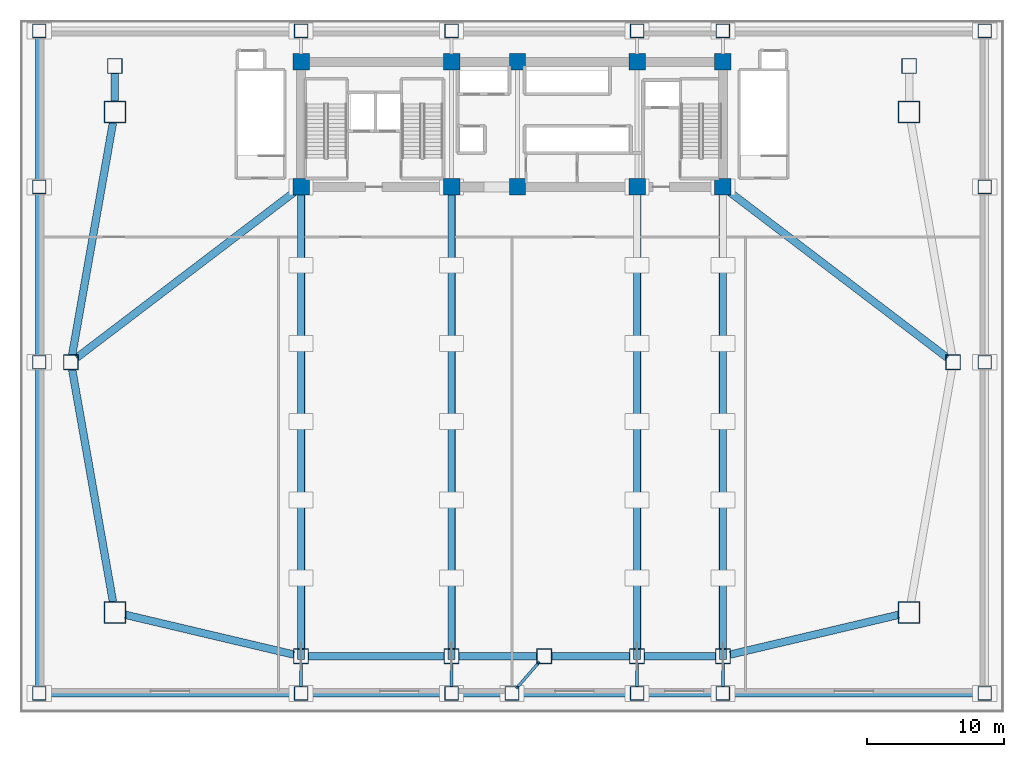
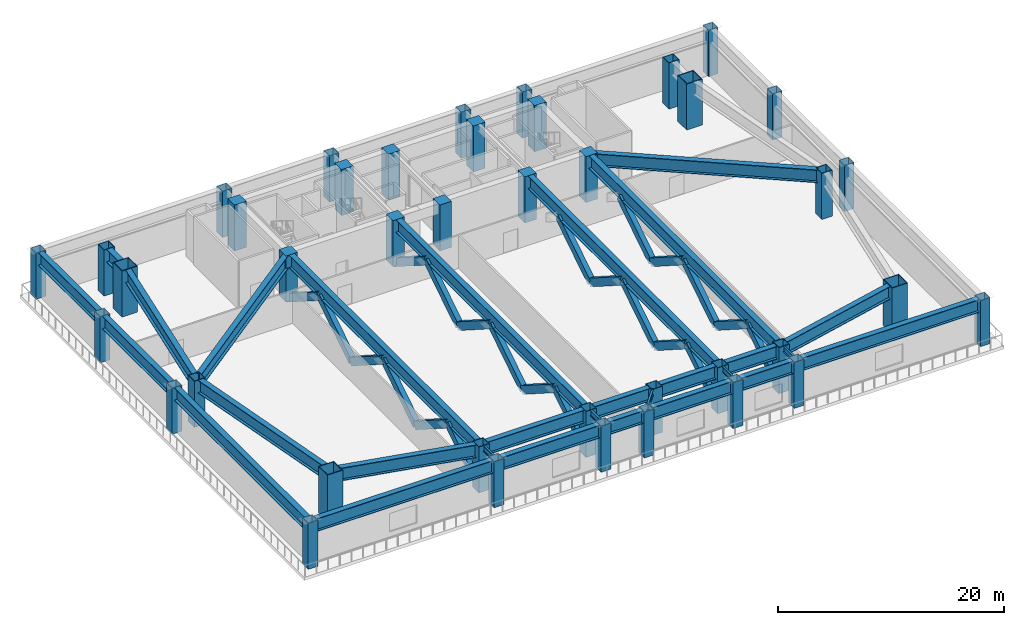
# One storey, part 1 of 8: 40 columns, 29 beams, 22 members.
"""IFC4 building model written with IfcOpenShell, lengths in metres."""

from ifc_helpers import new_model, si_unit, direction, frame, origin, origin_2d, place, context, subcontext, project, spatial, rectangle, hollow_rectangle, i_section, extrude, source, transform, mapped, material, material_profile, profile_set, type_object, element, save


model = new_model("IFC4")

# Units and contexts
model_context = context("Model", 3, precision=1e-05, world=origin(), true_north=direction((0.0, 1.0)))
body_context = subcontext(model_context, "Body", "Model", "MODEL_VIEW")
ifc_project = project(units=[si_unit("LENGTHUNIT", "METRE"), si_unit("AREAUNIT", "SQUARE_METRE"), si_unit("VOLUMEUNIT", "CUBIC_METRE"), si_unit("PLANEANGLEUNIT", "RADIAN"), si_unit("MASSUNIT", "GRAM", prefix="KILO")], contexts=[model_context])

# Site, building, storey
site_placement = place(None, origin())
site = spatial("IfcSite", under=ifc_project, at=site_placement, CompositionType="ELEMENT")
building_placement = place(site_placement, origin())
building = spatial("IfcBuilding", under=site, at=building_placement, Name="Giltprow Tower", CompositionType="ELEMENT")
storey_placement = place(building_placement, frame((0.0, 0.0, 20.199951171875)))
storey = spatial("IfcBuildingStorey", under=building, at=storey_placement, Name="L05", CompositionType="ELEMENT", Elevation=20.199951171875)

# Columns
ifc_material_1 = material(Name="Concrete C60", Category="concrete")
ifc_material_profile_1 = material_profile(ifc_material_1, rectangle(XDim=1.199951171875, YDim=1.199951171875, at=origin_2d()), Name="RC 1200x1200")
ifc_profile_set_1 = profile_set([ifc_material_profile_1], Name="Concrete C60")
column_type_1 = type_object("IfcColumnType", Name="PIL-RC-1200-C60", PredefinedType="PILASTER", material=ifc_profile_set_1)
shared_shape_1 = source(origin(), body_context, "Body", "SweptSolid", [
    extrude(rectangle(XDim=1.199951171875, YDim=1.199951171875, at=origin_2d()), origin(), (0.0, 0.0, 1.0), 4.97998046875),
])
for number, where, z_axis, x_axis, name in (
    (1, (19.85009765625, 37.449951171875, 0.0), (0.0, 0.0, 1.0), (1.0, 0.0, 0.0), "L05 Core Boundary Pilaster 1-1"),
    (2, (19.85009765625, 46.550048828125, 0.0), (0.0, 0.0, 1.0), (1.0, 0.0, 0.0), "L05 Core Boundary Pilaster 1-2"),
    (3, (30.800048828125, 37.449951171875, 0.0), (0.0, 0.0, 1.0), (1.0, 0.0, 0.0), "L05 Core Boundary Pilaster 2-1"),
    (4, (30.800048828125, 46.550048828125, 0.0), (0.0, 0.0, 1.0), (1.0, 0.0, 0.0), "L05 Core Boundary Pilaster 2-2"),
    (5, (35.60009765625, 37.449951171875, 0.0), (0.0, 0.0, 1.0), (1.0, 0.0, 0.0), "L05 Core Boundary Pilaster 3-1"),
    (6, (35.60009765625, 46.550048828125, 0.0), (0.0, 0.0, 1.0), (1.0, 0.0, 0.0), "L05 Core Boundary Pilaster 3-2"),
    (7, (44.300048828125, 37.449951171875, 0.0), (0.0, 0.0, 1.0), (1.0, 0.0, 0.0), "L05 Core Boundary Pilaster 4-1"),
    (8, (44.300048828125, 46.550048828125, 0.0), (0.0, 0.0, 1.0), (1.0, 0.0, 0.0), "L05 Core Boundary Pilaster 4-2"),
    (9, (50.550048828125, 37.449951171875, 0.0), (0.0, 0.0, 1.0), (1.0, 0.0, 0.0), "L05 Core Boundary Pilaster 5-1"),
    (10, (50.550048828125, 46.550048828125, 0.0), (0.0, 0.0, 1.0), (1.0, 0.0, 0.0), "L05 Core Boundary Pilaster 5-2"),
):
    element("IfcColumn", number, at=place(storey_placement, frame(where, z_axis=z_axis, x_axis=x_axis)), inside=storey, type_object=column_type_1, Name=name, PredefinedType="PILASTER", context=body_context, shape_type="MappedRepresentation", body=[
        mapped(shared_shape_1, transform((0.0, 0.0, 0.0), x_axis=(1.0, 0.0, 0.0), y_axis=(0.0, 1.0, 0.0), z_axis=(0.0, 0.0, 1.0), scale=1.0)),
    ])
ifc_material_2 = material(Name="Structural steel Q420GJC", Category="steel")
ifc_material_profile_2 = material_profile(ifc_material_2, hollow_rectangle(XDim=1.60009765625, YDim=1.60009765625, WallThickness=0.074951171875, at=origin_2d()), Name="BOX 1600x1600x75")
ifc_profile_set_2 = profile_set([ifc_material_profile_2], Name="Structural steel Q420GJC")
column_type_2 = type_object("IfcColumnType", Name="COL-BOX-1600x1600x75", PredefinedType="COLUMN", material=ifc_profile_set_2)
shared_shape_2 = source(origin(), body_context, "Body", "SweptSolid", [
    extrude(hollow_rectangle(XDim=1.60009765625, YDim=1.60009765625, WallThickness=0.074951171875, at=origin_2d()), origin(), (0.0, 0.0, 1.0), 4.97998046875),
])
for number, where, z_axis, x_axis, name in (
    (11, (6.300048828125, 6.5, 0.0), (0.0, 0.0, 1.0), (1.0, 0.0, 0.0), "L05 Continuous Tower Column MC_SW"),
    (12, (64.10009765625, 6.5, 0.0), (0.0, 0.0, 1.0), (1.0, 0.0, 0.0), "L05 Continuous Tower Column MC_SE"),
    (13, (6.300048828125, 42.89990234375, 0.0), (0.0, 0.0, 1.0), (1.0, 0.0, 0.0), "L05 Continuous Tower Column MC_NW"),
    (14, (64.10009765625, 42.89990234375, 0.0), (0.0, 0.0, 1.0), (1.0, 0.0, 0.0), "L05 Continuous Tower Column MC_NE"),
):
    element("IfcColumn", number, at=place(storey_placement, frame(where, z_axis=z_axis, x_axis=x_axis)), inside=storey, type_object=column_type_2, Name=name, PredefinedType="COLUMN", context=body_context, shape_type="MappedRepresentation", body=[
        mapped(shared_shape_2, transform((0.0, 0.0, 0.0), x_axis=(1.0, 0.0, 0.0), y_axis=(0.0, 1.0, 0.0), z_axis=(0.0, 0.0, 1.0), scale=1.0)),
    ])
ifc_material_profile_3 = material_profile(ifc_material_2, hollow_rectangle(XDim=1.10009765625, YDim=1.10009765625, WallThickness=0.050048828125, at=origin_2d()), Name="BOX 1100x1100x50")
ifc_profile_set_3 = profile_set([ifc_material_profile_3], Name="Structural steel Q420GJC")
column_type_3 = type_object("IfcColumnType", Name="COL-BOX-1100x1100x50", PredefinedType="COLUMN", material=ifc_profile_set_3)
shared_shape_3 = source(origin(), body_context, "Body", "SweptSolid", [
    extrude(hollow_rectangle(XDim=1.10009765625, YDim=1.10009765625, WallThickness=0.050048828125, at=origin_2d()), origin(), (0.0, 0.0, 1.0), 4.97998046875),
])
for number, where, z_axis, x_axis, name in (
    (15, (19.85009765625, 3.300048828125, 0.0), (0.0, 0.0, 1.0), (1.0, 0.0, 0.0), "L05 Continuous Tower Column S1"),
    (16, (30.800048828125, 3.300048828125, 0.0), (0.0, 0.0, 1.0), (1.0, 0.0, 0.0), "L05 Continuous Tower Column S2"),
    (17, (37.550048828125, 3.300048828125, 0.0), (0.0, 0.0, 1.0), (1.0, 0.0, 0.0), "L05 Continuous Tower Column S_MID"),
    (18, (44.300048828125, 3.300048828125, 0.0), (0.0, 0.0, 1.0), (1.0, 0.0, 0.0), "L05 Continuous Tower Column S3"),
    (19, (50.550048828125, 3.300048828125, 0.0), (0.0, 0.0, 1.0), (1.0, 0.0, 0.0), "L05 Continuous Tower Column S4"),
    (20, (3.10009765625, 24.699951171875, 0.0), (0.0, 0.0, 1.0), (1.0, 0.0, 0.0), "L05 Continuous Tower Column W_MID"),
    (21, (67.300048828125, 24.699951171875, 0.0), (0.0, 0.0, 1.0), (1.0, 0.0, 0.0), "L05 Continuous Tower Column E_MID"),
    (22, (6.300048828125, 46.25, 0.0), (0.0, 0.0, 1.0), (1.0, 0.0, 0.0), "L05 Continuous Tower Column N_W"),
    (23, (64.10009765625, 46.25, 0.0), (0.0, 0.0, 1.0), (1.0, 0.0, 0.0), "L05 Continuous Tower Column N_E"),
):
    element("IfcColumn", number, at=place(storey_placement, frame(where, z_axis=z_axis, x_axis=x_axis)), inside=storey, type_object=column_type_3, Name=name, PredefinedType="COLUMN", context=body_context, shape_type="MappedRepresentation", body=[
        mapped(shared_shape_3, transform((0.0, 0.0, 0.0), x_axis=(1.0, 0.0, 0.0), y_axis=(0.0, 1.0, 0.0), z_axis=(0.0, 0.0, 1.0), scale=1.0)),
    ])
ifc_material_profile_4 = material_profile(ifc_material_2, hollow_rectangle(XDim=1.0, YDim=1.0, WallThickness=0.044921875, at=origin_2d()), Name="BOX 1000x1000x45")
ifc_profile_set_4 = profile_set([ifc_material_profile_4], Name="Structural steel Q420GJC")
column_type_4 = type_object("IfcColumnType", Name="COL-BOX-1000x1000x45", PredefinedType="COLUMN", material=ifc_profile_set_4)
shared_shape_4 = source(origin(), body_context, "Body", "SweptSolid", [
    extrude(hollow_rectangle(XDim=1.0, YDim=1.0, WallThickness=0.044921875, at=origin_2d()), origin(), (0.0, 0.0, 1.0), 4.97998046875),
])
for number, where, z_axis, x_axis, name in (
    (24, (0.800048828125, 0.60009765625, 0.0), (0.0, 0.0, 1.0), (1.0, 0.0, 0.0), "L05 Podium Column (0.8,0.6)"),
    (25, (19.85009765625, 0.60009765625, 0.0), (0.0, 0.0, 1.0), (1.0, 0.0, 0.0), "L05 Podium Column (19.9,0.6)"),
    (26, (30.800048828125, 0.60009765625, 0.0), (0.0, 0.0, 1.0), (1.0, 0.0, 0.0), "L05 Podium Column (30.8,0.6)"),
    (27, (35.199951171875, 0.60009765625, 0.0), (0.0, 0.0, 1.0), (1.0, 0.0, 0.0), "L05 Podium Column (35.2,0.6)"),
    (28, (44.300048828125, 0.60009765625, 0.0), (0.0, 0.0, 1.0), (1.0, 0.0, 0.0), "L05 Podium Column (44.3,0.6)"),
    (29, (50.550048828125, 0.60009765625, 0.0), (0.0, 0.0, 1.0), (1.0, 0.0, 0.0), "L05 Podium Column (50.5,0.6)"),
    (30, (69.60009765625, 0.60009765625, 0.0), (0.0, 0.0, 1.0), (1.0, 0.0, 0.0), "L05 Podium Column (69.6,0.6)"),
    (31, (0.800048828125, 24.699951171875, 0.0), (0.0, 0.0, 1.0), (1.0, 0.0, 0.0), "L05 Podium Column (0.8,24.7)"),
    (32, (69.60009765625, 24.699951171875, 0.0), (0.0, 0.0, 1.0), (1.0, 0.0, 0.0), "L05 Podium Column (69.6,24.7)"),
    (33, (0.800048828125, 37.449951171875, 0.0), (0.0, 0.0, 1.0), (1.0, 0.0, 0.0), "L05 Podium Column (0.8,37.5)"),
    (34, (69.60009765625, 37.449951171875, 0.0), (0.0, 0.0, 1.0), (1.0, 0.0, 0.0), "L05 Podium Column (69.6,37.5)"),
    (35, (0.800048828125, 48.800048828125, 0.0), (0.0, 0.0, 1.0), (1.0, 0.0, 0.0), "L05 Podium Column (0.8,48.8)"),
    (36, (19.85009765625, 48.800048828125, 0.0), (0.0, 0.0, 1.0), (1.0, 0.0, 0.0), "L05 Podium Column (19.9,48.8)"),
    (37, (30.800048828125, 48.800048828125, 0.0), (0.0, 0.0, 1.0), (1.0, 0.0, 0.0), "L05 Podium Column (30.8,48.8)"),
    (38, (44.300048828125, 48.800048828125, 0.0), (0.0, 0.0, 1.0), (1.0, 0.0, 0.0), "L05 Podium Column (44.3,48.8)"),
    (39, (50.550048828125, 48.800048828125, 0.0), (0.0, 0.0, 1.0), (1.0, 0.0, 0.0), "L05 Podium Column (50.5,48.8)"),
    (40, (69.60009765625, 48.800048828125, 0.0), (0.0, 0.0, 1.0), (1.0, 0.0, 0.0), "L05 Podium Column (69.6,48.8)"),
):
    element("IfcColumn", number, at=place(storey_placement, frame(where, z_axis=z_axis, x_axis=x_axis)), inside=storey, type_object=column_type_4, Name=name, PredefinedType="COLUMN", context=body_context, shape_type="MappedRepresentation", body=[
        mapped(shared_shape_4, transform((0.0, 0.0, 0.0), x_axis=(1.0, 0.0, 0.0), y_axis=(0.0, 1.0, 0.0), z_axis=(0.0, 0.0, 1.0), scale=1.0)),
    ])

# Beams
ifc_material_3 = material(Name="Structural steel Q355B", Category="steel")
ifc_material_profile_5 = material_profile(ifc_material_3, i_section(OverallWidth=0.199951171875, OverallDepth=0.60009765625, WebThickness=0.010986328125, FlangeThickness=0.01708984375, at=origin_2d()), Name="HN 600x200x11x17")
ifc_profile_set_5 = profile_set([ifc_material_profile_5], Name="Structural steel Q355B")
beam_type_1 = type_object("IfcBeamType", Name="BM-GIRD-HN600", PredefinedType="BEAM", material=ifc_profile_set_5)
shared_shape_5 = source(origin(), body_context, "Body", "SweptSolid", [
    extrude(i_section(OverallWidth=0.199951171875, OverallDepth=0.60009765625, WebThickness=0.010986328125, FlangeThickness=0.01708984375, at=origin_2d()), origin(), (0.0, 0.0, 1.0), 1.679931640625),
])
for number, where, z_axis, x_axis, name in (
    (41, (19.85009765625, 1.0849609375, 4.679931640625), (0.0, 1.0, 0.0), (-1.0, 0.0, 0.0), "L05 South Perimeter Tie S1"),
    (42, (30.800048828125, 1.0849609375, 4.679931640625), (0.0, 1.0, 0.0), (-1.0, 0.0, 0.0), "L05 South Perimeter Tie S2"),
    (43, (44.300048828125, 1.0849609375, 4.679931640625), (0.0, 1.0, 0.0), (-1.0, 0.0, 0.0), "L05 South Perimeter Tie S3"),
    (44, (50.550048828125, 1.0849609375, 4.679931640625), (0.0, 1.0, 0.0), (-1.0, 0.0, 0.0), "L05 South Perimeter Tie S4"),
):
    element("IfcBeam", number, at=place(storey_placement, frame(where, z_axis=z_axis, x_axis=x_axis)), inside=storey, type_object=beam_type_1, Name=name, PredefinedType="BEAM", context=body_context, shape_type="MappedRepresentation", body=[
        mapped(shared_shape_5, transform((0.0, 0.0, 0.0), x_axis=(1.0, 0.0, 0.0), y_axis=(0.0, 1.0, 0.0), z_axis=(0.0, 0.0, 1.0), scale=1.0)),
    ])
shared_shape_6 = source(origin(), body_context, "Body", "SweptSolid", [
    extrude(i_section(OverallWidth=0.199951171875, OverallDepth=0.60009765625, WebThickness=0.010986328125, FlangeThickness=0.01708984375, at=origin_2d()), origin(), (0.0, 0.0, 1.0), 2.559326171875),
])
beam_1_placement = place(storey_placement, frame((35.51806640625, 0.966064453125, 4.679931640625), z_axis=(0.656780744804, 0.754081595886, 0.0), x_axis=(-0.754081595886, 0.656780744804, 0.0)))
element("IfcBeam", 45, at=beam_1_placement, inside=storey, type_object=beam_type_1, Name="L05 South Mid Tie", PredefinedType="BEAM", context=body_context, shape_type="MappedRepresentation", body=[
    mapped(shared_shape_6, transform((0.0, 0.0, 0.0), x_axis=(1.0, 0.0, 0.0), y_axis=(0.0, 1.0, 0.0), z_axis=(0.0, 0.0, 1.0), scale=1.0)),
])
ifc_material_profile_6 = material_profile(ifc_material_2, i_section(OverallWidth=0.550048828125, OverallDepth=1.39990234375, WebThickness=0.031982421875, FlangeThickness=0.050048828125, at=origin_2d()), Name="WH 1400x550x32x50")
ifc_profile_set_6 = profile_set([ifc_material_profile_6], Name="Structural steel Q420GJC")
beam_type_2 = type_object("IfcBeamType", Name="BM-XFER-WH1400", PredefinedType="BEAM", material=ifc_profile_set_6)
shared_shape_7 = source(origin(), body_context, "Body", "SweptSolid", [
    extrude(i_section(OverallWidth=0.550048828125, OverallDepth=1.39990234375, WebThickness=0.031982421875, FlangeThickness=0.050048828125, at=origin_2d()), origin(), (0.0, 0.0, 1.0), 18.080078125),
])
for number, where, z_axis, x_axis, name in (
    (46, (1.284912109375, 0.60009765625, 4.280029296875), (1.0, 0.0, 0.0), (0.0, 1.0, 0.0), "L05 Podium South Edge Girder"),
    (47, (51.034912109375, 0.60009765625, 4.280029296875), (1.0, 0.0, 0.0), (0.0, 1.0, 0.0), "L05 Podium South Edge Girder"),
):
    element("IfcBeam", number, at=place(storey_placement, frame(where, z_axis=z_axis, x_axis=x_axis)), inside=storey, type_object=beam_type_2, Name=name, PredefinedType="BEAM", context=body_context, shape_type="MappedRepresentation", body=[
        mapped(shared_shape_7, transform((0.0, 0.0, 0.0), x_axis=(1.0, 0.0, 0.0), y_axis=(0.0, 1.0, 0.0), z_axis=(0.0, 0.0, 1.0), scale=1.0)),
    ])
shared_shape_8 = source(origin(), body_context, "Body", "SweptSolid", [
    extrude(i_section(OverallWidth=0.550048828125, OverallDepth=1.39990234375, WebThickness=0.031982421875, FlangeThickness=0.050048828125, at=origin_2d()), origin(), (0.0, 0.0, 1.0), 9.97998046875),
])
beam_2_placement = place(storey_placement, frame((20.3349609375, 0.60009765625, 4.280029296875), z_axis=(1.0, 0.0, 0.0), x_axis=(0.0, 1.0, 0.0)))
element("IfcBeam", 48, at=beam_2_placement, inside=storey, type_object=beam_type_2, Name="L05 Podium South Edge Girder", PredefinedType="BEAM", context=body_context, shape_type="MappedRepresentation", body=[
    mapped(shared_shape_8, transform((0.0, 0.0, 0.0), x_axis=(1.0, 0.0, 0.0), y_axis=(0.0, 1.0, 0.0), z_axis=(0.0, 0.0, 1.0), scale=1.0)),
])
shared_shape_9 = source(origin(), body_context, "Body", "SweptSolid", [
    extrude(i_section(OverallWidth=0.550048828125, OverallDepth=1.39990234375, WebThickness=0.031982421875, FlangeThickness=0.050048828125, at=origin_2d()), origin(), (0.0, 0.0, 1.0), 3.43017578125),
])
beam_3_placement = place(storey_placement, frame((31.284912109375, 0.60009765625, 4.280029296875), z_axis=(1.0, 0.0, 0.0), x_axis=(0.0, 1.0, 0.0)))
element("IfcBeam", 49, at=beam_3_placement, inside=storey, type_object=beam_type_2, Name="L05 Podium South Edge Girder", PredefinedType="BEAM", context=body_context, shape_type="MappedRepresentation", body=[
    mapped(shared_shape_9, transform((0.0, 0.0, 0.0), x_axis=(1.0, 0.0, 0.0), y_axis=(0.0, 1.0, 0.0), z_axis=(0.0, 0.0, 1.0), scale=1.0)),
])
shared_shape_10 = source(origin(), body_context, "Body", "SweptSolid", [
    extrude(i_section(OverallWidth=0.550048828125, OverallDepth=1.39990234375, WebThickness=0.031982421875, FlangeThickness=0.050048828125, at=origin_2d()), origin(), (0.0, 0.0, 1.0), 8.1298828125),
])
beam_4_placement = place(storey_placement, frame((35.68505859375, 0.60009765625, 4.280029296875), z_axis=(1.0, 0.0, 0.0), x_axis=(0.0, 1.0, 0.0)))
element("IfcBeam", 50, at=beam_4_placement, inside=storey, type_object=beam_type_2, Name="L05 Podium South Edge Girder", PredefinedType="BEAM", context=body_context, shape_type="MappedRepresentation", body=[
    mapped(shared_shape_10, transform((0.0, 0.0, 0.0), x_axis=(1.0, 0.0, 0.0), y_axis=(0.0, 1.0, 0.0), z_axis=(0.0, 0.0, 1.0), scale=1.0)),
])
shared_shape_11 = source(origin(), body_context, "Body", "SweptSolid", [
    extrude(i_section(OverallWidth=0.550048828125, OverallDepth=1.39990234375, WebThickness=0.031982421875, FlangeThickness=0.050048828125, at=origin_2d()), origin(), (0.0, 0.0, 1.0), 5.280029296875),
])
beam_5_placement = place(storey_placement, frame((44.784912109375, 0.60009765625, 4.280029296875), z_axis=(1.0, 0.0, 0.0), x_axis=(0.0, 1.0, 0.0)))
element("IfcBeam", 51, at=beam_5_placement, inside=storey, type_object=beam_type_2, Name="L05 Podium South Edge Girder", PredefinedType="BEAM", context=body_context, shape_type="MappedRepresentation", body=[
    mapped(shared_shape_11, transform((0.0, 0.0, 0.0), x_axis=(1.0, 0.0, 0.0), y_axis=(0.0, 1.0, 0.0), z_axis=(0.0, 0.0, 1.0), scale=1.0)),
])
shared_shape_12 = source(origin(), body_context, "Body", "SweptSolid", [
    extrude(i_section(OverallWidth=0.550048828125, OverallDepth=1.39990234375, WebThickness=0.031982421875, FlangeThickness=0.050048828125, at=origin_2d()), origin(), (0.0, 0.0, 1.0), 23.130126953125),
])
beam_6_placement = place(storey_placement, frame((0.800048828125, 1.0849609375, 4.280029296875), z_axis=(0.0, 1.0, 0.0), x_axis=(-1.0, 0.0, 0.0)))
element("IfcBeam", 52, at=beam_6_placement, inside=storey, type_object=beam_type_2, Name="L05 Podium Side Girder", PredefinedType="BEAM", context=body_context, shape_type="MappedRepresentation", body=[
    mapped(shared_shape_12, transform((0.0, 0.0, 0.0), x_axis=(1.0, 0.0, 0.0), y_axis=(0.0, 1.0, 0.0), z_axis=(0.0, 0.0, 1.0), scale=1.0)),
])
shared_shape_13 = source(origin(), body_context, "Body", "SweptSolid", [
    extrude(i_section(OverallWidth=0.550048828125, OverallDepth=1.39990234375, WebThickness=0.031982421875, FlangeThickness=0.050048828125, at=origin_2d()), origin(), (0.0, 0.0, 1.0), 11.780029296875),
])
beam_7_placement = place(storey_placement, frame((0.800048828125, 25.18505859375, 4.280029296875), z_axis=(0.0, 1.0, 0.0), x_axis=(-1.0, 0.0, 0.0)))
element("IfcBeam", 53, at=beam_7_placement, inside=storey, type_object=beam_type_2, Name="L05 Podium Side Girder", PredefinedType="BEAM", context=body_context, shape_type="MappedRepresentation", body=[
    mapped(shared_shape_13, transform((0.0, 0.0, 0.0), x_axis=(1.0, 0.0, 0.0), y_axis=(0.0, 1.0, 0.0), z_axis=(0.0, 0.0, 1.0), scale=1.0)),
])
shared_shape_14 = source(origin(), body_context, "Body", "SweptSolid", [
    extrude(i_section(OverallWidth=0.550048828125, OverallDepth=1.39990234375, WebThickness=0.031982421875, FlangeThickness=0.050048828125, at=origin_2d()), origin(), (0.0, 0.0, 1.0), 10.3798828125),
])
beam_8_placement = place(storey_placement, frame((0.800048828125, 37.93505859375, 4.280029296875), z_axis=(0.0, 1.0, 0.0), x_axis=(-1.0, 0.0, 0.0)))
element("IfcBeam", 54, at=beam_8_placement, inside=storey, type_object=beam_type_2, Name="L05 Podium Side Girder", PredefinedType="BEAM", context=body_context, shape_type="MappedRepresentation", body=[
    mapped(shared_shape_14, transform((0.0, 0.0, 0.0), x_axis=(1.0, 0.0, 0.0), y_axis=(0.0, 1.0, 0.0), z_axis=(0.0, 0.0, 1.0), scale=1.0)),
])
shared_shape_15 = source(origin(), body_context, "Body", "SweptSolid", [
    extrude(i_section(OverallWidth=0.550048828125, OverallDepth=1.39990234375, WebThickness=0.031982421875, FlangeThickness=0.050048828125, at=origin_2d()), origin(), (0.0, 0.0, 1.0), 12.6025390625),
])
beam_9_placement = place(storey_placement, frame((7.06396484375, 6.320068359375, 4.280029296875), z_axis=(0.973221185684, -0.22987066741, 0.0), x_axis=(0.22987066741, 0.973221185684, 0.0)))
element("IfcBeam", 55, at=beam_9_placement, inside=storey, type_object=beam_type_2, Name="L05 Tower Base Ring Girder 1", PredefinedType="BEAM", context=body_context, shape_type="MappedRepresentation", body=[
    mapped(shared_shape_15, transform((0.0, 0.0, 0.0), x_axis=(1.0, 0.0, 0.0), y_axis=(0.0, 1.0, 0.0), z_axis=(0.0, 0.0, 1.0), scale=1.0)),
])
shared_shape_16 = source(origin(), body_context, "Body", "SweptSolid", [
    extrude(i_section(OverallWidth=0.550048828125, OverallDepth=1.39990234375, WebThickness=0.031982421875, FlangeThickness=0.050048828125, at=origin_2d()), origin(), (0.0, 0.0, 1.0), 9.8798828125),
])
beam_10_placement = place(storey_placement, frame((20.385009765625, 3.300048828125, 4.280029296875), z_axis=(1.0, 0.0, 0.0), x_axis=(0.0, 1.0, 0.0)))
element("IfcBeam", 56, at=beam_10_placement, inside=storey, type_object=beam_type_2, Name="L05 Tower Base Ring Girder 2", PredefinedType="BEAM", context=body_context, shape_type="MappedRepresentation", body=[
    mapped(shared_shape_16, transform((0.0, 0.0, 0.0), x_axis=(1.0, 0.0, 0.0), y_axis=(0.0, 1.0, 0.0), z_axis=(0.0, 0.0, 1.0), scale=1.0)),
])
shared_shape_17 = source(origin(), body_context, "Body", "SweptSolid", [
    extrude(i_section(OverallWidth=0.550048828125, OverallDepth=1.39990234375, WebThickness=0.031982421875, FlangeThickness=0.050048828125, at=origin_2d()), origin(), (0.0, 0.0, 1.0), 5.679931640625),
])
for number, where, z_axis, x_axis, name in (
    (57, (31.3349609375, 3.300048828125, 4.280029296875), (1.0, 0.0, 0.0), (0.0, 1.0, 0.0), "L05 Tower Base Ring Girder 3"),
    (58, (38.0849609375, 3.300048828125, 4.280029296875), (1.0, 0.0, 0.0), (0.0, 1.0, 0.0), "L05 Tower Base Ring Girder 4"),
):
    element("IfcBeam", number, at=place(storey_placement, frame(where, z_axis=z_axis, x_axis=x_axis)), inside=storey, type_object=beam_type_2, Name=name, PredefinedType="BEAM", context=body_context, shape_type="MappedRepresentation", body=[
        mapped(shared_shape_17, transform((0.0, 0.0, 0.0), x_axis=(1.0, 0.0, 0.0), y_axis=(0.0, 1.0, 0.0), z_axis=(0.0, 0.0, 1.0), scale=1.0)),
    ])
shared_shape_18 = source(origin(), body_context, "Body", "SweptSolid", [
    extrude(i_section(OverallWidth=0.550048828125, OverallDepth=1.39990234375, WebThickness=0.031982421875, FlangeThickness=0.050048828125, at=origin_2d()), origin(), (0.0, 0.0, 1.0), 5.179931640625),
])
beam_11_placement = place(storey_placement, frame((44.8349609375, 3.300048828125, 4.280029296875), z_axis=(1.0, 0.0, 0.0), x_axis=(0.0, 1.0, 0.0)))
element("IfcBeam", 59, at=beam_11_placement, inside=storey, type_object=beam_type_2, Name="L05 Tower Base Ring Girder 5", PredefinedType="BEAM", context=body_context, shape_type="MappedRepresentation", body=[
    mapped(shared_shape_18, transform((0.0, 0.0, 0.0), x_axis=(1.0, 0.0, 0.0), y_axis=(0.0, 1.0, 0.0), z_axis=(0.0, 0.0, 1.0), scale=1.0)),
])
shared_shape_19 = source(origin(), body_context, "Body", "SweptSolid", [
    extrude(i_section(OverallWidth=0.550048828125, OverallDepth=1.39990234375, WebThickness=0.031982421875, FlangeThickness=0.050048828125, at=origin_2d()), origin(), (0.0, 0.0, 1.0), 12.602294921875),
])
beam_12_placement = place(storey_placement, frame((51.071044921875, 3.423095703125, 4.280029296875), z_axis=(0.973220162017, 0.229875001344, 0.0), x_axis=(-0.229875001344, 0.973220162017, 0.0)))
element("IfcBeam", 60, at=beam_12_placement, inside=storey, type_object=beam_type_2, Name="L05 Tower Base Ring Girder 6", PredefinedType="BEAM", context=body_context, shape_type="MappedRepresentation", body=[
    mapped(shared_shape_19, transform((0.0, 0.0, 0.0), x_axis=(1.0, 0.0, 0.0), y_axis=(0.0, 1.0, 0.0), z_axis=(0.0, 0.0, 1.0), scale=1.0)),
])
shared_shape_20 = source(origin(), body_context, "Body", "SweptSolid", [
    extrude(i_section(OverallWidth=0.550048828125, OverallDepth=1.39990234375, WebThickness=0.031982421875, FlangeThickness=0.050048828125, at=origin_2d()), origin(), (0.0, 0.0, 1.0), 17.1591796875),
])
beam_13_placement = place(storey_placement, frame((3.193115234375, 24.173095703125, 4.280029296875), z_axis=(0.173139216532, -0.984897360997, 0.0), x_axis=(0.984897360997, 0.173139216532, 0.0)))
element("IfcBeam", 61, at=beam_13_placement, inside=storey, type_object=beam_type_2, Name="L05 Tower Base Ring Girder 12", PredefinedType="BEAM", context=body_context, shape_type="MappedRepresentation", body=[
    mapped(shared_shape_20, transform((0.0, 0.0, 0.0), x_axis=(1.0, 0.0, 0.0), y_axis=(0.0, 1.0, 0.0), z_axis=(0.0, 0.0, 1.0), scale=1.0)),
])
shared_shape_21 = source(origin(), body_context, "Body", "SweptSolid", [
    extrude(i_section(OverallWidth=0.550048828125, OverallDepth=1.39990234375, WebThickness=0.031982421875, FlangeThickness=0.050048828125, at=origin_2d()), origin(), (0.0, 0.0, 1.0), 17.158935546875),
])
beam_14_placement = place(storey_placement, frame((6.1640625, 42.126953125, 4.280029296875), z_axis=(-0.173141642767, -0.984896934476, 0.0), x_axis=(0.984896934476, -0.173141642767, 0.0)))
element("IfcBeam", 62, at=beam_14_placement, inside=storey, type_object=beam_type_2, Name="L05 Tower Base Ring Girder 11", PredefinedType="BEAM", context=body_context, shape_type="MappedRepresentation", body=[
    mapped(shared_shape_21, transform((0.0, 0.0, 0.0), x_axis=(1.0, 0.0, 0.0), y_axis=(0.0, 1.0, 0.0), z_axis=(0.0, 0.0, 1.0), scale=1.0)),
])
shared_shape_22 = source(origin(), body_context, "Body", "SweptSolid", [
    extrude(i_section(OverallWidth=0.550048828125, OverallDepth=1.39990234375, WebThickness=0.031982421875, FlangeThickness=0.050048828125, at=origin_2d()), origin(), (0.0, 0.0, 1.0), 2.030029296875),
])
beam_15_placement = place(storey_placement, frame((6.300048828125, 45.715087890625, 4.280029296875), z_axis=(0.0, -1.0, 0.0), x_axis=(1.0, 0.0, 0.0)))
element("IfcBeam", 63, at=beam_15_placement, inside=storey, type_object=beam_type_2, Name="L05 Tower Base Ring Girder 10", PredefinedType="BEAM", context=body_context, shape_type="MappedRepresentation", body=[
    mapped(shared_shape_22, transform((0.0, 0.0, 0.0), x_axis=(1.0, 0.0, 0.0), y_axis=(0.0, 1.0, 0.0), z_axis=(0.0, 0.0, 1.0), scale=1.0)),
])
shared_shape_23 = source(origin(), body_context, "Body", "SweptSolid", [
    extrude(i_section(OverallWidth=0.550048828125, OverallDepth=1.39990234375, WebThickness=0.031982421875, FlangeThickness=0.050048828125, at=origin_2d()), origin(), (0.0, 0.0, 1.0), 33.030029296875),
])
for number, where, z_axis, x_axis, name in (
    (64, (19.85009765625, 3.8349609375, 4.280029296875), (0.0, 1.0, 0.0), (-1.0, 0.0, 0.0), "L05 Primary Podium Span Girder S1"),
    (65, (30.800048828125, 3.8349609375, 4.280029296875), (0.0, 1.0, 0.0), (-1.0, 0.0, 0.0), "L05 Primary Podium Span Girder S2"),
    (66, (44.300048828125, 3.8349609375, 4.280029296875), (0.0, 1.0, 0.0), (-1.0, 0.0, 0.0), "L05 Primary Podium Span Girder S3"),
    (67, (50.550048828125, 3.8349609375, 4.280029296875), (0.0, 1.0, 0.0), (-1.0, 0.0, 0.0), "L05 Primary Podium Span Girder S4"),
):
    element("IfcBeam", number, at=place(storey_placement, frame(where, z_axis=z_axis, x_axis=x_axis)), inside=storey, type_object=beam_type_2, Name=name, PredefinedType="BEAM", context=body_context, shape_type="MappedRepresentation", body=[
        mapped(shared_shape_23, transform((0.0, 0.0, 0.0), x_axis=(1.0, 0.0, 0.0), y_axis=(0.0, 1.0, 0.0), z_axis=(0.0, 0.0, 1.0), scale=1.0)),
    ])
shared_shape_24 = source(origin(), body_context, "Body", "SweptSolid", [
    extrude(i_section(OverallWidth=0.550048828125, OverallDepth=1.39990234375, WebThickness=0.031982421875, FlangeThickness=0.050048828125, at=origin_2d()), origin(), (0.0, 0.0, 1.0), 19.930908203125),
])
for number, where, z_axis, x_axis, name in (
    (68, (3.52587890625, 25.02392578125, 4.280029296875), (0.795700739064, 0.605689965124, 0.0), (-0.605689965124, 0.795700739064, 0.0), "L05 West Tie 2"),
    (69, (51.014892578125, 37.095947265625, 4.280029296875), (0.795700739064, -0.605689965124, 0.0), (0.605689965124, 0.795700739064, 0.0), "L05 East Tie 2"),
):
    element("IfcBeam", number, at=place(storey_placement, frame(where, z_axis=z_axis, x_axis=x_axis)), inside=storey, type_object=beam_type_2, Name=name, PredefinedType="BEAM", context=body_context, shape_type="MappedRepresentation", body=[
        mapped(shared_shape_24, transform((0.0, 0.0, 0.0), x_axis=(1.0, 0.0, 0.0), y_axis=(0.0, 1.0, 0.0), z_axis=(0.0, 0.0, 1.0), scale=1.0)),
    ])

# Members
ifc_material_profile_7 = material_profile(ifc_material_2, hollow_rectangle(XDim=0.5, YDim=0.800048828125, WallThickness=0.035888671875, at=origin_2d()), Name="RHS 800x500x36")
ifc_profile_set_7 = profile_set([ifc_material_profile_7], Name="Structural steel Q420GJC")
member_type = type_object("IfcMemberType", Name="MBR-XFER-RHS800", PredefinedType="CHORD", material=ifc_profile_set_7)
shared_shape_25 = source(origin(), body_context, "Body", "SweptSolid", [
    extrude(hollow_rectangle(XDim=0.5, YDim=0.800048828125, WallThickness=0.035888671875, at=origin_2d()), origin(), (0.0, 0.0, 1.0), 6.75634765625),
])
for number, where, z_axis, x_axis, name in (
    (70, (19.85009765625, 3.300048828125, -0.030029296875), (0.0, 0.84245116742, 0.538772707654), (-1.0, 0.0, 0.0), "L05 Podium Transfer Truss Diagonal S1-1"),
    (71, (19.85009765625, 14.68310546875, -0.030029296875), (0.0, 0.84245116742, 0.538772707654), (-1.0, 0.0, 0.0), "L05 Podium Transfer Truss Diagonal S1-3"),
    (72, (19.85009765625, 20.375, 3.610107421875), (0.0, 0.84245116742, -0.538772707654), (-1.0, 0.0, 0.0), "L05 Podium Transfer Truss Diagonal S1-4"),
    (73, (19.85009765625, 31.758056640625, 3.610107421875), (0.0, 0.84245116742, -0.538772707654), (-1.0, 0.0, 0.0), "L05 Podium Transfer Truss Diagonal S1-6"),
    (74, (30.800048828125, 3.300048828125, -0.030029296875), (0.0, 0.84245116742, 0.538772707654), (-1.0, 0.0, 0.0), "L05 Podium Transfer Truss Diagonal S2-1"),
    (75, (30.800048828125, 14.68310546875, -0.030029296875), (0.0, 0.84245116742, 0.538772707654), (-1.0, 0.0, 0.0), "L05 Podium Transfer Truss Diagonal S2-3"),
    (76, (30.800048828125, 20.375, 3.610107421875), (0.0, 0.84245116742, -0.538772707654), (-1.0, 0.0, 0.0), "L05 Podium Transfer Truss Diagonal S2-4"),
    (77, (30.800048828125, 31.758056640625, 3.610107421875), (0.0, 0.84245116742, -0.538772707654), (-1.0, 0.0, 0.0), "L05 Podium Transfer Truss Diagonal S2-6"),
    (78, (44.300048828125, 3.300048828125, -0.030029296875), (0.0, 0.84245116742, 0.538772707654), (-1.0, 0.0, 0.0), "L05 Podium Transfer Truss Diagonal S3-1"),
    (79, (44.300048828125, 14.68310546875, -0.030029296875), (0.0, 0.84245116742, 0.538772707654), (-1.0, 0.0, 0.0), "L05 Podium Transfer Truss Diagonal S3-3"),
    (80, (44.300048828125, 20.375, 3.610107421875), (0.0, 0.84245116742, -0.538772707654), (-1.0, 0.0, 0.0), "L05 Podium Transfer Truss Diagonal S3-4"),
    (81, (50.550048828125, 3.300048828125, -0.030029296875), (0.0, 0.84245116742, 0.538772707654), (-1.0, 0.0, 0.0), "L05 Podium Transfer Truss Diagonal S4-1"),
    (82, (50.550048828125, 14.68310546875, -0.030029296875), (0.0, 0.84245116742, 0.538772707654), (-1.0, 0.0, 0.0), "L05 Podium Transfer Truss Diagonal S4-3"),
    (83, (50.550048828125, 20.375, 3.610107421875), (0.0, 0.84245116742, -0.538772707654), (-1.0, 0.0, 0.0), "L05 Podium Transfer Truss Diagonal S4-4"),
):
    element("IfcMember", number, at=place(storey_placement, frame(where, z_axis=z_axis, x_axis=x_axis)), inside=storey, type_object=member_type, Name=name, PredefinedType="CHORD", context=body_context, shape_type="MappedRepresentation", body=[
        mapped(shared_shape_25, transform((0.0, 0.0, 0.0), x_axis=(1.0, 0.0, 0.0), y_axis=(0.0, 1.0, 0.0), z_axis=(0.0, 0.0, 1.0), scale=1.0)),
    ])
shared_shape_26 = source(origin(), body_context, "Body", "SweptSolid", [
    extrude(hollow_rectangle(XDim=0.5, YDim=0.800048828125, WallThickness=0.035888671875, at=origin_2d()), origin(), (0.0, 0.0, 1.0), 6.755615234375),
])
for number, where, z_axis, x_axis, name in (
    (84, (19.85009765625, 8.991943359375, 3.610107421875), (0.0, 0.842419695744, -0.538821915128), (-1.0, 0.0, 0.0), "L05 Podium Transfer Truss Diagonal S1-2"),
    (85, (19.85009765625, 26.06689453125, -0.030029296875), (0.0, 0.842419695744, 0.538821915128), (-1.0, 0.0, 0.0), "L05 Podium Transfer Truss Diagonal S1-5"),
    (86, (30.800048828125, 8.991943359375, 3.610107421875), (0.0, 0.842419695744, -0.538821915128), (-1.0, 0.0, 0.0), "L05 Podium Transfer Truss Diagonal S2-2"),
    (87, (30.800048828125, 26.06689453125, -0.030029296875), (0.0, 0.842419695744, 0.538821915128), (-1.0, 0.0, 0.0), "L05 Podium Transfer Truss Diagonal S2-5"),
    (88, (44.300048828125, 8.991943359375, 3.610107421875), (0.0, 0.842419695744, -0.538821915128), (-1.0, 0.0, 0.0), "L05 Podium Transfer Truss Diagonal S3-2"),
    (89, (44.300048828125, 26.06689453125, -0.030029296875), (0.0, 0.842419695744, 0.538821915128), (-1.0, 0.0, 0.0), "L05 Podium Transfer Truss Diagonal S3-5"),
    (90, (50.550048828125, 8.991943359375, 3.610107421875), (0.0, 0.842419695744, -0.538821915128), (-1.0, 0.0, 0.0), "L05 Podium Transfer Truss Diagonal S4-2"),
    (91, (50.550048828125, 26.06689453125, -0.030029296875), (0.0, 0.842419695744, 0.538821915128), (-1.0, 0.0, 0.0), "L05 Podium Transfer Truss Diagonal S4-5"),
):
    element("IfcMember", number, at=place(storey_placement, frame(where, z_axis=z_axis, x_axis=x_axis)), inside=storey, type_object=member_type, Name=name, PredefinedType="CHORD", context=body_context, shape_type="MappedRepresentation", body=[
        mapped(shared_shape_26, transform((0.0, 0.0, 0.0), x_axis=(1.0, 0.0, 0.0), y_axis=(0.0, 1.0, 0.0), z_axis=(0.0, 0.0, 1.0), scale=1.0)),
    ])

save(model, "model.ifc")
